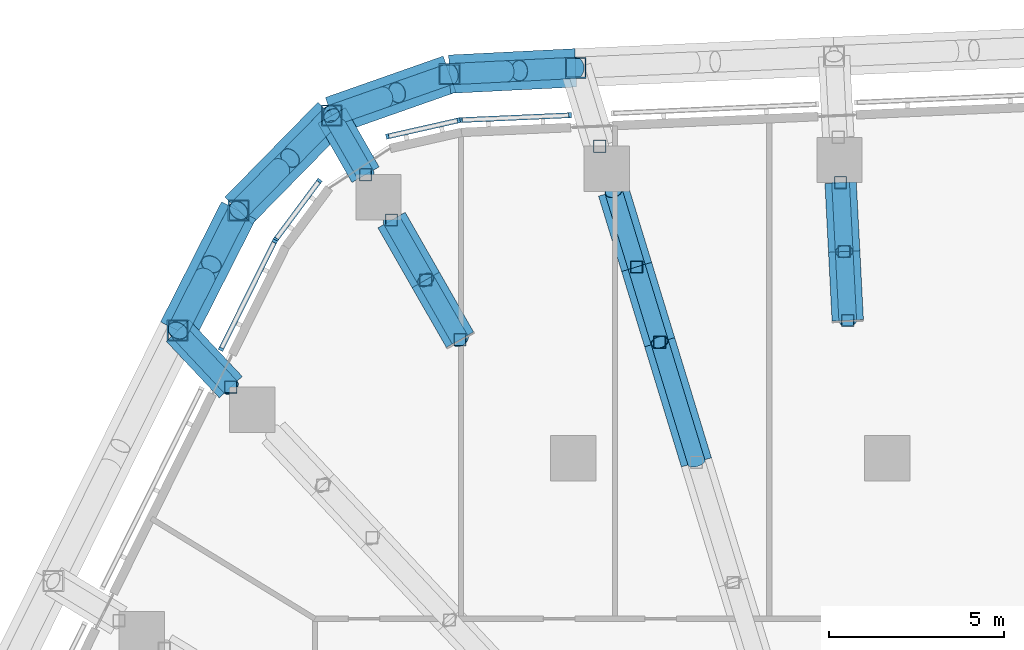
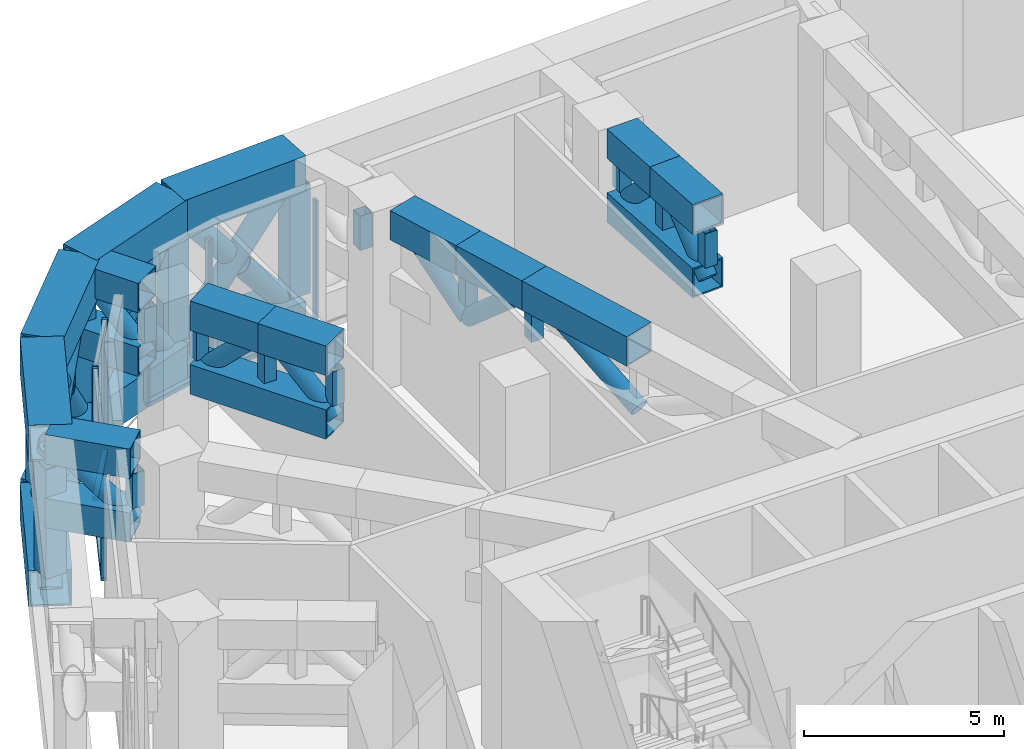
# One storey, part 10 of 30: 70 members, 3 elements without a shape of their own.
"""IFC4 building model written with IfcOpenShell, lengths in metres."""

from ifc_helpers import new_model, si_unit, direction, frame, origin, origin_2d, place, context, subcontext, project, spatial, rectangle, hollow_rectangle, hollow_circle, extrude, material, layer, layer_set, material_profile, profile_set, type_object, element, aggregate, save


model = new_model("IFC4")

# Units and contexts
model_context = context("Model", 3, precision=1e-05, world=origin(), true_north=direction((0.0, 1.0)))
body_context = subcontext(model_context, "Body", "Model", "MODEL_VIEW")
ifc_project = project(units=[si_unit("LENGTHUNIT", "METRE"), si_unit("AREAUNIT", "SQUARE_METRE"), si_unit("VOLUMEUNIT", "CUBIC_METRE"), si_unit("PLANEANGLEUNIT", "RADIAN"), si_unit("MASSUNIT", "GRAM", prefix="KILO")], contexts=[model_context])

# Site, building, storey
site_placement = place(None, origin())
site = spatial("IfcSite", under=ifc_project, at=site_placement, CompositionType="ELEMENT")
building_placement = place(site_placement, origin())
building = spatial("IfcBuilding", under=site, at=building_placement, Name="Dongbaek Canopy Tower", CompositionType="ELEMENT")
storey_placement = place(building_placement, frame((0.0, 0.0, 145.60009765625)))
storey = spatial("IfcBuildingStorey", under=building, at=storey_placement, Name="L32", CompositionType="ELEMENT", Elevation=145.60009765625)

# Members
ifc_material_1 = material(Name="Steel S355", Category="steel")
ifc_material_profile_1 = material_profile(ifc_material_1, hollow_circle(Radius=0.304931640625, WallThickness=0.01611328125, at=origin_2d()), Name="BELT BRACE CHS 610.0x16.0 Steel S355")
ifc_profile_set_1 = profile_set([ifc_material_profile_1], Name="Steel S355")
member_type_1 = type_object("IfcMemberType", Name="BELT BRACE CHS 610.0x16.0 Steel S355", PredefinedType="BRACE", material=ifc_profile_set_1)
member_1_placement = place(storey_placement, frame((-20.330322265625, 21.656494140625, 0.5498046875), z_axis=(0.296333287436, 0.584210568348, 0.755569053487), x_axis=(-0.891830572196, 0.452369572912, 0.0)))
element("IfcMember", 1, at=member_1_placement, inside=storey, type_object=member_type_1, Name="BELT:L32:12:D0:0", PredefinedType="BRACE", context=body_context, shape_type="SweptSolid", body=[
    extrude(hollow_circle(Radius=0.304931640625, WallThickness=0.01611328125, at=origin_2d()), origin(), (0.0, 0.0, 1.0), 5.889892578125),
])
for number, where, z_axis, x_axis, name in (
    (2, (-18.5849609375, 25.097412109375, 0.5498046875), (-0.296378596874, -0.584238971032, 0.755529319115), (0.891811540805, -0.452407090668, 0.0), "BELT:L32:12:D0:1"),
    (3, (-20.330322265625, 21.656494140625, 5.0), (0.296294137096, 0.584255001587, -0.755550049595), (-0.891868559862, 0.452294673781, 0.0), "BELT:L32:12:D0:2"),
):
    element("IfcMember", number, at=place(storey_placement, frame(where, z_axis=z_axis, x_axis=x_axis)), inside=storey, type_object=member_type_1, Name=name, PredefinedType="BRACE", context=body_context, shape_type="SweptSolid", body=[
        extrude(hollow_circle(Radius=0.304931640625, WallThickness=0.01611328125, at=origin_2d()), origin(), (0.0, 0.0, 1.0), 2.63671875),
    ])
member_2_placement = place(storey_placement, frame((-18.5849609375, 25.097412109375, 0.5498046875), z_axis=(0.455389185359, 0.464141860531, 0.759732204899), x_axis=(-0.713805132348, 0.70034436746, 0.0)))
element("IfcMember", 4, at=member_2_placement, inside=storey, type_object=member_type_1, Name="BELT:L32:12:D1:0", PredefinedType="BRACE", context=body_context, shape_type="SweptSolid", body=[
    extrude(hollow_circle(Radius=0.304931640625, WallThickness=0.01611328125, at=origin_2d()), origin(), (0.0, 0.0, 1.0), 5.857666015625),
])
for number, where, z_axis, x_axis, name in (
    (5, (-15.91748046875, 27.816162109375, 0.5498046875), (-0.45538943657, -0.464148717732, 0.75972786502), (0.713810111641, -0.700339292429, 0.0), "BELT:L32:12:D1:1"),
    (6, (-18.5849609375, 25.097412109375, 5.0), (0.45538943657, 0.464148717732, -0.75972786502), (-0.713810111641, 0.700339292429, 0.0), "BELT:L32:12:D1:2"),
):
    element("IfcMember", number, at=place(storey_placement, frame(where, z_axis=z_axis, x_axis=x_axis)), inside=storey, type_object=member_type_1, Name=name, PredefinedType="BRACE", context=body_context, shape_type="SweptSolid", body=[
        extrude(hollow_circle(Radius=0.304931640625, WallThickness=0.01611328125, at=origin_2d()), origin(), (0.0, 0.0, 1.0), 2.619873046875),
    ])
member_3_placement = place(storey_placement, frame((-15.91748046875, 27.816162109375, 0.5498046875), z_axis=(0.591091482685, 0.207720082674, 0.779399272742), x_axis=(-0.331541816396, 0.943440524877, 0.0)))
element("IfcMember", 7, at=member_3_placement, inside=storey, type_object=member_type_1, Name="BELT:L32:13:D0:0", PredefinedType="BRACE", context=body_context, shape_type="SweptSolid", body=[
    extrude(hollow_circle(Radius=0.304931640625, WallThickness=0.01611328125, at=origin_2d()), origin(), (0.0, 0.0, 1.0), 5.709716796875),
])
for number, where, z_axis, x_axis, name in (
    (8, (-12.54248046875, 29.002197265625, 0.5498046875), (-0.59110226279, -0.207692364265, 0.779398483929), (0.331497055873, -0.94345625333, 0.0), "BELT:L32:13:D0:1"),
    (9, (-15.91748046875, 27.816162109375, 5.0), (0.59110226279, 0.207692364265, -0.779398483929), (-0.331497055873, 0.94345625333, 0.0), "BELT:L32:13:D0:2"),
):
    element("IfcMember", number, at=place(storey_placement, frame(where, z_axis=z_axis, x_axis=x_axis)), inside=storey, type_object=member_type_1, Name=name, PredefinedType="BRACE", context=body_context, shape_type="SweptSolid", body=[
        extrude(hollow_circle(Radius=0.304931640625, WallThickness=0.01611328125, at=origin_2d()), origin(), (0.0, 0.0, 1.0), 2.54248046875),
    ])
member_4_placement = place(storey_placement, frame((-12.54248046875, 29.002197265625, 0.5498046875), z_axis=(0.6302426957, 0.031748332162, 0.775748791763), x_axis=(-0.050310977531, 0.998733600887, 0.0)))
element("IfcMember", 10, at=member_4_placement, inside=storey, type_object=member_type_1, Name="BELT:L32:13:D1:0", PredefinedType="BRACE", context=body_context, shape_type="SweptSolid", body=[
    extrude(hollow_circle(Radius=0.304931640625, WallThickness=0.01611328125, at=origin_2d()), origin(), (0.0, 0.0, 1.0), 5.736572265625),
])
for number, where, z_axis, x_axis, name in (
    (11, (-8.927001953125, 29.184326171875, 0.5498046875), (-0.630230604602, -0.031797998687, 0.775756580573), (0.050390447719, -0.998729594424, 0.0), "BELT:L32:13:D1:1"),
    (12, (-12.54248046875, 29.002197265625, 5.0), (0.630232515353, 0.031702605318, -0.775758932535), (-0.050239507566, 0.998737198606, 0.0), "BELT:L32:13:D1:2"),
):
    element("IfcMember", number, at=place(storey_placement, frame(where, z_axis=z_axis, x_axis=x_axis)), inside=storey, type_object=member_type_1, Name=name, PredefinedType="BRACE", context=body_context, shape_type="SweptSolid", body=[
        extrude(hollow_circle(Radius=0.304931640625, WallThickness=0.01611328125, at=origin_2d()), origin(), (0.0, 0.0, 1.0), 2.556640625),
    ])
ifc_material_2 = material(Name="Steel S355", Category="steel")
ifc_material_profile_2 = material_profile(ifc_material_2, hollow_rectangle(XDim=1.10009765625, YDim=1.10009765625, WallThickness=0.054931640625, at=origin_2d()), Name="BELT CHORD BOX 1100x1100x55 Steel S355")
ifc_profile_set_2 = profile_set([ifc_material_profile_2], Name="Steel S355")
member_type_2 = type_object("IfcMemberType", Name="BELT CHORD BOX 1100x1100x55 Steel S355", PredefinedType="CHORD", material=ifc_profile_set_2)
for number, where, z_axis, x_axis, name in (
    (13, (-20.330322265625, 21.656494140625, 0.5498046875), (0.452369572912, 0.891830572196, 0.0), (-0.891830572196, 0.452369572912, 0.0), "BELT:L32:12:CB0"),
    (14, (-20.330322265625, 21.656494140625, 5.0), (0.452369572912, 0.891830572196, 0.0), (-0.891830572196, 0.452369572912, 0.0), "BELT:L32:12:CT0"),
):
    element("IfcMember", number, at=place(storey_placement, frame(where, z_axis=z_axis, x_axis=x_axis)), inside=storey, type_object=member_type_2, Name=name, PredefinedType="CHORD", context=body_context, shape_type="SweptSolid", body=[
        extrude(hollow_rectangle(XDim=1.10009765625, YDim=1.10009765625, WallThickness=0.054931640625, at=origin_2d()), origin(), (0.0, 0.0, 1.0), 3.858154296875),
    ])
for number, where, z_axis, x_axis, name in (
    (15, (-18.5849609375, 25.097412109375, 0.5498046875), (0.70034436746, 0.713805132348, 0.0), (-0.713805132348, 0.70034436746, 0.0), "BELT:L32:12:CB1"),
    (16, (-18.5849609375, 25.097412109375, 5.0), (0.70034436746, 0.713805132348, 0.0), (-0.713805132348, 0.70034436746, 0.0), "BELT:L32:12:CT1"),
):
    element("IfcMember", number, at=place(storey_placement, frame(where, z_axis=z_axis, x_axis=x_axis)), inside=storey, type_object=member_type_2, Name=name, PredefinedType="CHORD", context=body_context, shape_type="SweptSolid", body=[
        extrude(hollow_rectangle(XDim=1.10009765625, YDim=1.10009765625, WallThickness=0.054931640625, at=origin_2d()), origin(), (0.0, 0.0, 1.0), 3.808837890625),
    ])
for number, where, z_axis, x_axis, name in (
    (17, (-15.91748046875, 27.816162109375, 0.5498046875), (0.943440524877, 0.331541816396, 0.0), (-0.331541816396, 0.943440524877, 0.0), "BELT:L32:13:CB0"),
    (18, (-15.91748046875, 27.816162109375, 5.0), (0.943440524877, 0.331541816396, 0.0), (-0.331541816396, 0.943440524877, 0.0), "BELT:L32:13:CT0"),
):
    element("IfcMember", number, at=place(storey_placement, frame(where, z_axis=z_axis, x_axis=x_axis)), inside=storey, type_object=member_type_2, Name=name, PredefinedType="CHORD", context=body_context, shape_type="SweptSolid", body=[
        extrude(hollow_rectangle(XDim=1.10009765625, YDim=1.10009765625, WallThickness=0.054931640625, at=origin_2d()), origin(), (0.0, 0.0, 1.0), 3.577392578125),
    ])
for number, where, z_axis, x_axis, name in (
    (19, (-12.54248046875, 29.002197265625, 0.5498046875), (0.998733600887, 0.050310977531, 0.0), (-0.050310977531, 0.998733600887, 0.0), "BELT:L32:13:CB1"),
    (20, (-12.54248046875, 29.002197265625, 5.0), (0.998733600887, 0.050310977531, 0.0), (-0.050310977531, 0.998733600887, 0.0), "BELT:L32:13:CT1"),
):
    element("IfcMember", number, at=place(storey_placement, frame(where, z_axis=z_axis, x_axis=x_axis)), inside=storey, type_object=member_type_2, Name=name, PredefinedType="CHORD", context=body_context, shape_type="SweptSolid", body=[
        extrude(hollow_rectangle(XDim=1.10009765625, YDim=1.10009765625, WallThickness=0.054931640625, at=origin_2d()), origin(), (0.0, 0.0, 1.0), 3.6201171875),
    ])
ifc_material_3 = material(Name="Steel S355", Category="steel")
ifc_material_profile_3 = material_profile(ifc_material_3, hollow_rectangle(XDim=0.60009765625, YDim=0.60009765625, WallThickness=0.031982421875, at=origin_2d()), Name="BELT POST BOX 600x600x32 Steel S355")
ifc_profile_set_3 = profile_set([ifc_material_profile_3], Name="Steel S355")
member_type_3 = type_object("IfcMemberType", Name="BELT POST BOX 600x600x32 Steel S355", PredefinedType="POST", material=ifc_profile_set_3)
for number, where, z_axis, x_axis, name in (
    (21, (-20.330322265625, 21.656494140625, 1.099853515625), (0.0, 0.0, 1.0), (1.0, 0.0, 0.0), "BELT:L32:12:P0"),
    (22, (-18.5849609375, 25.097412109375, 1.099853515625), (0.0, 0.0, 1.0), (1.0, 0.0, 0.0), "BELT:L32:12:P1"),
    (23, (-15.91748046875, 27.816162109375, 1.099853515625), (0.0, 0.0, 1.0), (1.0, 0.0, 0.0), "BELT:L32:13:P0"),
    (24, (-12.54248046875, 29.002197265625, 1.099853515625), (0.0, 0.0, 1.0), (1.0, 0.0, 0.0), "BELT:L32:13:P1"),
    (25, (-8.927001953125, 29.184326171875, 1.099853515625), (0.0, 0.0, 1.0), (1.0, 0.0, 0.0), "BELT:L32:14:P0"),
):
    element("IfcMember", number, at=place(storey_placement, frame(where, z_axis=z_axis, x_axis=x_axis)), inside=storey, type_object=member_type_3, Name=name, PredefinedType="POST", context=body_context, shape_type="SweptSolid", body=[
        extrude(hollow_rectangle(XDim=0.60009765625, YDim=0.60009765625, WallThickness=0.031982421875, at=origin_2d()), origin(), (0.0, 0.0, 1.0), 3.35009765625),
    ])
ifc_material_4 = material(Name="Steel S355", Category="steel")
ifc_material_profile_4 = material_profile(ifc_material_4, hollow_circle(Radius=0.25390625, WallThickness=0.01611328125, at=origin_2d()), Name="BRACE CHS 508.0x16.0 Steel S355")
ifc_profile_set_4 = profile_set([ifc_material_profile_4], Name="Steel S355")
member_type_4 = type_object("IfcMemberType", Name="BRACE CHS 508.0x16.0 Steel S355", PredefinedType="BRACE", material=ifc_profile_set_4)
member_5_placement = place(storey_placement, frame((-12.2421875, 21.3935546875, 3.14990234375), z_axis=(-0.353429743575, 0.617666415974, 0.702549368326), x_axis=(-0.867953949361, -0.496644683642, 0.0)))
element("IfcMember", 26, at=member_5_placement, inside=storey, type_object=member_type_4, Name="TRUSS:L32:13:D0", PredefinedType="BRACE", context=body_context, shape_type="SweptSolid", body=[
    extrude(hollow_circle(Radius=0.25390625, WallThickness=0.01611328125, at=origin_2d()), origin(), (0.0, 0.0, 1.0), 2.775634765625),
])
for number, where, z_axis, x_axis, name in (
    (27, (-13.22314453125, 23.10791015625, 5.099853515625), (-0.35344894594, 0.617612008323, -0.70258753888), (-0.867923456559, -0.496697970154, 0.0), "TRUSS:L32:13:D1"),
    (28, (-1.134521484375, 21.94921875, 3.14990234375), (-0.036769068067, 0.710663399317, 0.702570685771), (-0.998664215232, -0.051669964348, 0.0), "TRUSS:L32:15:D0"),
    (29, (-1.236572265625, 23.921630859375, 5.099853515625), (-0.036681222288, 0.710665695123, -0.702572955434), (-0.998670586177, -0.051546680831, 0.0), "TRUSS:L32:15:D1"),
):
    element("IfcMember", number, at=place(storey_placement, frame(where, z_axis=z_axis, x_axis=x_axis)), inside=storey, type_object=member_type_4, Name=name, PredefinedType="BRACE", context=body_context, shape_type="SweptSolid", body=[
        extrude(hollow_circle(Radius=0.25390625, WallThickness=0.01611328125, at=origin_2d()), origin(), (0.0, 0.0, 1.0), 2.775390625),
    ])
member_6_placement = place(storey_placement, frame((-18.80908203125, 20.035888671875, 3.14990234375), z_axis=(-0.514483499752, 0.548088825446, 0.659473553606), x_axis=(-0.729105470416, -0.684401353746, 0.0)))
element("IfcMember", 30, at=member_6_placement, inside=storey, type_object=member_type_4, Name="TRUSS:L32:12x:D0", PredefinedType="BRACE", context=body_context, shape_type="SweptSolid", body=[
    extrude(hollow_circle(Radius=0.25390625, WallThickness=0.01611328125, at=origin_2d()), origin(), (0.0, 0.0, 1.0), 2.956787109375),
])
member_7_placement = place(storey_placement, frame((-14.947998046875, 26.1220703125, 3.14990234375), z_axis=(-0.351387405761, 0.614020954061, 0.706756789176), x_axis=(-0.867927381013, -0.496691112552, 0.0)))
element("IfcMember", 31, at=member_7_placement, inside=storey, type_object=member_type_4, Name="TRUSS:L32:13x:D0", PredefinedType="BRACE", context=body_context, shape_type="SweptSolid", body=[
    extrude(hollow_circle(Radius=0.25390625, WallThickness=0.01611328125, at=origin_2d()), origin(), (0.0, 0.0, 1.0), 2.759033203125),
])
ifc_material_5 = material(Name="Steel S355", Category="steel")
ifc_material_profile_5 = material_profile(ifc_material_5, hollow_rectangle(XDim=0.89990234375, YDim=0.89990234375, WallThickness=0.044921875, at=origin_2d()), Name="CHORD BOX 900x900x45 Steel S355")
ifc_profile_set_5 = profile_set([ifc_material_profile_5], Name="Steel S355")
member_type_5 = type_object("IfcMemberType", Name="CHORD BOX 900x900x45 Steel S355", PredefinedType="CHORD", material=ifc_profile_set_5)
member_8_placement = place(storey_placement, frame((-12.2421875, 21.3935546875, 3.14990234375), z_axis=(-0.496671325703, 0.867938704186, 0.0), x_axis=(-0.867938704186, -0.496671325703, 0.0)))
element("IfcMember", 32, at=member_8_placement, inside=storey, type_object=member_type_5, Name="TRUSS:L32:13:CB", PredefinedType="CHORD", context=body_context, shape_type="SweptSolid", body=[
    extrude(hollow_rectangle(XDim=0.89990234375, YDim=0.89990234375, WallThickness=0.044921875, at=origin_2d()), origin(), (0.0, 0.0, 1.0), 3.9501953125),
])
member_9_placement = place(storey_placement, frame((-12.2421875, 21.3935546875, 5.099853515625), z_axis=(-0.496644683642, 0.867953949361, 0.0), x_axis=(-0.867953949361, -0.496644683642, 0.0)))
element("IfcMember", 33, at=member_9_placement, inside=storey, type_object=member_type_5, Name="TRUSS:L32:13:CT0", PredefinedType="CHORD", context=body_context, shape_type="SweptSolid", body=[
    extrude(hollow_rectangle(XDim=0.89990234375, YDim=0.89990234375, WallThickness=0.044921875, at=origin_2d()), origin(), (0.0, 0.0, 1.0), 1.97509765625),
])
member_10_placement = place(storey_placement, frame((-13.22314453125, 23.10791015625, 5.099853515625), z_axis=(-0.496697970154, 0.867923456559, 0.0), x_axis=(-0.867923456559, -0.496697970154, 0.0)))
element("IfcMember", 34, at=member_10_placement, inside=storey, type_object=member_type_5, Name="TRUSS:L32:13:CT1", PredefinedType="CHORD", context=body_context, shape_type="SweptSolid", body=[
    extrude(hollow_rectangle(XDim=0.89990234375, YDim=0.89990234375, WallThickness=0.044921875, at=origin_2d()), origin(), (0.0, 0.0, 1.0), 1.974853515625),
])
member_11_placement = place(storey_placement, frame((-1.134521484375, 21.94921875, 3.14990234375), z_axis=(-0.051608322885, 0.998667402597, 0.0), x_axis=(-0.998667402597, -0.051608322885, 0.0)))
element("IfcMember", 35, at=member_11_placement, inside=storey, type_object=member_type_5, Name="TRUSS:L32:15:CB", PredefinedType="CHORD", context=body_context, shape_type="SweptSolid", body=[
    extrude(hollow_rectangle(XDim=0.89990234375, YDim=0.89990234375, WallThickness=0.044921875, at=origin_2d()), origin(), (0.0, 0.0, 1.0), 3.9501953125),
])
for number, where, z_axis, x_axis, name in (
    (36, (-1.134521484375, 21.94921875, 5.099853515625), (-0.051669964348, 0.998664215232, 0.0), (-0.998664215232, -0.051669964348, 0.0), "TRUSS:L32:15:CT0"),
    (37, (-1.236572265625, 23.921630859375, 5.099853515625), (-0.051546680831, 0.998670586177, 0.0), (-0.998670586177, -0.051546680831, 0.0), "TRUSS:L32:15:CT1"),
):
    element("IfcMember", number, at=place(storey_placement, frame(where, z_axis=z_axis, x_axis=x_axis)), inside=storey, type_object=member_type_5, Name=name, PredefinedType="CHORD", context=body_context, shape_type="SweptSolid", body=[
        extrude(hollow_rectangle(XDim=0.89990234375, YDim=0.89990234375, WallThickness=0.044921875, at=origin_2d()), origin(), (0.0, 0.0, 1.0), 1.97509765625),
    ])
for number, where, z_axis, x_axis, name in (
    (38, (-18.80908203125, 20.035888671875, 3.14990234375), (-0.684401353746, 0.729105470416, 0.0), (-0.729105470416, -0.684401353746, 0.0), "TRUSS:L32:12x:CB"),
    (39, (-18.80908203125, 20.035888671875, 5.099853515625), (-0.684401353746, 0.729105470416, 0.0), (-0.729105470416, -0.684401353746, 0.0), "TRUSS:L32:12x:CT0"),
):
    element("IfcMember", number, at=place(storey_placement, frame(where, z_axis=z_axis, x_axis=x_axis)), inside=storey, type_object=member_type_5, Name=name, PredefinedType="CHORD", context=body_context, shape_type="SweptSolid", body=[
        extrude(hollow_rectangle(XDim=0.89990234375, YDim=0.89990234375, WallThickness=0.044921875, at=origin_2d()), origin(), (0.0, 0.0, 1.0), 2.22265625),
    ])
for number, where, z_axis, x_axis, name in (
    (40, (-14.947998046875, 26.1220703125, 3.14990234375), (-0.496691112552, 0.867927381013, 0.0), (-0.867927381013, -0.496691112552, 0.0), "TRUSS:L32:13x:CB"),
    (41, (-14.947998046875, 26.1220703125, 5.099853515625), (-0.496691112552, 0.867927381013, 0.0), (-0.867927381013, -0.496691112552, 0.0), "TRUSS:L32:13x:CT0"),
):
    element("IfcMember", number, at=place(storey_placement, frame(where, z_axis=z_axis, x_axis=x_axis)), inside=storey, type_object=member_type_5, Name=name, PredefinedType="CHORD", context=body_context, shape_type="SweptSolid", body=[
        extrude(hollow_rectangle(XDim=0.89990234375, YDim=0.89990234375, WallThickness=0.044921875, at=origin_2d()), origin(), (0.0, 0.0, 1.0), 1.951904296875),
    ])

# Curtain wall, members
ifc_material_6 = material(Name="Aluminium 6063-T6 pale anodised", Category="aluminium")
ifc_layer = layer(ifc_material_6, 0.14990234375)
ifc_layer_set = layer_set([ifc_layer], Name="CW-7 louvre curtain wall")
curtain_wall_type = type_object("IfcCurtainWallType", Name="CW-7 louvre curtain wall", PredefinedType="NOTDEFINED", material=ifc_layer_set)
curtain_wall_1_placement = place(storey_placement, origin())
curtain_wall_1 = element("IfcCurtainWall", 42, at=curtain_wall_1_placement, inside=storey, type_object=curtain_wall_type, Name="CW-7 louvre wall L32 F1", PredefinedType="NOTDEFINED")
ifc_material_7 = material(Name="Aluminium 6063-T6 pale anodised", Category="aluminium")
ifc_material_profile_6 = material_profile(ifc_material_7, rectangle(XDim=0.14990234375, YDim=0.080078125, at=origin_2d()), Name="CW-7 mullion 80 x 150")
ifc_profile_set_6 = profile_set([ifc_material_profile_6], Name="Aluminium 6063-T6 pale anodised")
member_type_6 = type_object("IfcMemberType", Name="CW-7 mullion 80 x 150", PredefinedType="MULLION", material=ifc_profile_set_6)
member_12_placement = place(storey_placement, frame((-9.088134765625, 27.825927734375, 0.77490234375), z_axis=(0.0, 0.0, 1.0), x_axis=(-0.044359879696, 0.999015616031, 0.0)))
member_12 = element("IfcMember", 43, at=member_12_placement, type_object=member_type_6, Name="CW-7 mullion L32 F1.4.1", PredefinedType="MULLION", context=body_context, shape_type="SweptSolid", body=[
    extrude(rectangle(XDim=0.14990234375, YDim=0.080078125, at=origin_2d()), origin(), (0.0, 0.0, 1.0), 4.0),
])
member_13_placement = place(storey_placement, frame((-12.21875, 27.686767578125, 0.77490234375), z_axis=(0.0, 0.0, 1.0), x_axis=(-0.044359879696, 0.999015616031, 0.0)))
member_13 = element("IfcMember", 44, at=member_13_placement, type_object=member_type_6, Name="CW-7 mullion L32 F1.4.2", PredefinedType="MULLION", context=body_context, shape_type="SweptSolid", body=[
    extrude(rectangle(XDim=0.14990234375, YDim=0.080078125, at=origin_2d()), origin(), (0.0, 0.0, 1.0), 4.0),
])

curtain_wall_2_placement = place(storey_placement, origin())
curtain_wall_2 = element("IfcCurtainWall", 45, at=curtain_wall_2_placement, inside=storey, type_object=curtain_wall_type, Name="CW-7 louvre wall L32 K2", PredefinedType="NOTDEFINED")
member_14_placement = place(storey_placement, frame((-12.2802734375, 27.6787109375, 0.77490234375), z_axis=(0.0, 0.0, 1.0), x_axis=(-0.220111588824, 0.975474699039, 0.0)))
member_14 = element("IfcMember", 46, at=member_14_placement, type_object=member_type_6, Name="CW-7 mullion L32 K2.1.1", PredefinedType="MULLION", context=body_context, shape_type="SweptSolid", body=[
    extrude(rectangle(XDim=0.14990234375, YDim=0.080078125, at=origin_2d()), origin(), (0.0, 0.0, 1.0), 4.0),
])
member_15_placement = place(storey_placement, frame((-14.321533203125, 27.218017578125, 0.77490234375), z_axis=(0.0, 0.0, 1.0), x_axis=(-0.220111588824, 0.975474699039, 0.0)))
member_15 = element("IfcMember", 47, at=member_15_placement, type_object=member_type_6, Name="CW-7 mullion L32 K2.1.2", PredefinedType="MULLION", context=body_context, shape_type="SweptSolid", body=[
    extrude(rectangle(XDim=0.14990234375, YDim=0.080078125, at=origin_2d()), origin(), (0.0, 0.0, 1.0), 4.0),
])
member_16_placement = place(storey_placement, frame((-16.271728515625, 25.948486328125, 0.77490234375), z_axis=(0.0, 0.0, 1.0), x_axis=(-0.802901375039, 0.596111887116, 0.0)))
member_16 = element("IfcMember", 48, at=member_16_placement, type_object=member_type_6, Name="CW-7 mullion L32 K2.2.1", PredefinedType="MULLION", context=body_context, shape_type="SweptSolid", body=[
    extrude(rectangle(XDim=0.14990234375, YDim=0.080078125, at=origin_2d()), origin(), (0.0, 0.0, 1.0), 4.0),
])
member_17_placement = place(storey_placement, frame((-17.51904296875, 24.268310546875, 0.77490234375), z_axis=(0.0, 0.0, 1.0), x_axis=(-0.802901375039, 0.596111887116, 0.0)))
member_17 = element("IfcMember", 49, at=member_17_placement, type_object=member_type_6, Name="CW-7 mullion L32 K2.2.2", PredefinedType="MULLION", context=body_context, shape_type="SweptSolid", body=[
    extrude(rectangle(XDim=0.14990234375, YDim=0.080078125, at=origin_2d()), origin(), (0.0, 0.0, 1.0), 4.0),
])

curtain_wall_3_placement = place(storey_placement, origin())
curtain_wall_3 = element("IfcCurtainWall", 50, at=curtain_wall_3_placement, inside=storey, type_object=curtain_wall_type, Name="CW-7 louvre wall L32 F2", PredefinedType="NOTDEFINED")
member_18_placement = place(storey_placement, frame((-17.551513671875, 24.21533203125, 0.77490234375), z_axis=(0.0, 0.0, 1.0), x_axis=(-0.895565680556, 0.444929333502, 0.0)))
member_18 = element("IfcMember", 51, at=member_18_placement, type_object=member_type_6, Name="CW-7 mullion L32 F2.1.1", PredefinedType="MULLION", context=body_context, shape_type="SweptSolid", body=[
    extrude(rectangle(XDim=0.14990234375, YDim=0.080078125, at=origin_2d()), origin(), (0.0, 0.0, 1.0), 4.0),
])
member_19_placement = place(storey_placement, frame((-19.08740234375, 21.1240234375, 0.77490234375), z_axis=(0.0, 0.0, 1.0), x_axis=(-0.895565680556, 0.444929333502, 0.0)))
member_19 = element("IfcMember", 52, at=member_19_placement, type_object=member_type_6, Name="CW-7 mullion L32 F2.1.2", PredefinedType="MULLION", context=body_context, shape_type="SweptSolid", body=[
    extrude(rectangle(XDim=0.14990234375, YDim=0.080078125, at=origin_2d()), origin(), (0.0, 0.0, 1.0), 4.0),
])

# Member
ifc_material_8 = material(Name="Aluminium 6063-T6 pale anodised", Category="aluminium")
ifc_material_profile_7 = material_profile(ifc_material_8, rectangle(XDim=0.14990234375, YDim=0.1201171875, at=origin_2d()), Name="CW-7 transom 120 x 150")
ifc_profile_set_7 = profile_set([ifc_material_profile_7], Name="Aluminium 6063-T6 pale anodised")
member_type_7 = type_object("IfcMemberType", Name="CW-7 transom 120 x 150", PredefinedType="USERDEFINED", material=ifc_profile_set_7)
member_20_placement = place(storey_placement, frame((-9.088134765625, 27.825927734375, 0.71484375), z_axis=(-0.999013499265, -0.044407525117, 0.0), x_axis=(0.044407525117, -0.999013499265, 0.0)))
member_20 = element("IfcMember", 53, at=member_20_placement, type_object=member_type_7, Name="CW-7 transom L32 F1.4", ObjectType="TRANSOM", PredefinedType="USERDEFINED", context=body_context, shape_type="SweptSolid", body=[
    extrude(rectangle(XDim=0.14990234375, YDim=0.1201171875, at=origin_2d()), origin(), (0.0, 0.0, 1.0), 3.1337890625),
])

aggregate(curtain_wall_1, [member_20, member_12, member_13])

member_21_placement = place(storey_placement, frame((-12.2802734375, 27.6787109375, 0.71484375), z_axis=(-0.975465253957, -0.220153442676, 0.0), x_axis=(0.220153442676, -0.975465253957, 0.0)))
member_21 = element("IfcMember", 54, at=member_21_placement, type_object=member_type_7, Name="CW-7 transom L32 K2.1", ObjectType="TRANSOM", PredefinedType="USERDEFINED", context=body_context, shape_type="SweptSolid", body=[
    extrude(rectangle(XDim=0.14990234375, YDim=0.1201171875, at=origin_2d()), origin(), (0.0, 0.0, 1.0), 2.092529296875),
])

member_22_placement = place(storey_placement, frame((-16.271728515625, 25.948486328125, 0.71484375), z_axis=(-0.596072647465, -0.80293050692, 0.0), x_axis=(0.80293050692, -0.596072647465, 0.0)))
member_22 = element("IfcMember", 55, at=member_22_placement, type_object=member_type_7, Name="CW-7 transom L32 K2.2", ObjectType="TRANSOM", PredefinedType="USERDEFINED", context=body_context, shape_type="SweptSolid", body=[
    extrude(rectangle(XDim=0.14990234375, YDim=0.1201171875, at=origin_2d()), origin(), (0.0, 0.0, 1.0), 2.092529296875),
])

aggregate(curtain_wall_2, [member_21, member_14, member_15, member_22, member_16, member_17])

member_23_placement = place(storey_placement, frame((-17.551513671875, 24.21533203125, 0.71484375), z_axis=(-0.44494887268, -0.895555972958, 0.0), x_axis=(0.895555972958, -0.44494887268, 0.0)))
member_23 = element("IfcMember", 56, at=member_23_placement, type_object=member_type_7, Name="CW-7 transom L32 F2.1", ObjectType="TRANSOM", PredefinedType="USERDEFINED", context=body_context, shape_type="SweptSolid", body=[
    extrude(rectangle(XDim=0.14990234375, YDim=0.1201171875, at=origin_2d()), origin(), (0.0, 0.0, 1.0), 3.451904296875),
])

aggregate(curtain_wall_3, [member_23, member_18, member_19])

# Members
ifc_material_9 = material(Name="Steel S355", Category="steel")
ifc_material_profile_8 = material_profile(ifc_material_9, hollow_circle(Radius=0.25390625, WallThickness=0.01611328125, at=origin_2d()), Name="OUTRIGGER BRACE CHS 508.0x16.0 Steel S355")
ifc_profile_set_8 = profile_set([ifc_material_profile_8], Name="Steel S355")
member_type_8 = type_object("IfcMemberType", Name="OUTRIGGER BRACE CHS 508.0x16.0 Steel S355", PredefinedType="BRACE", material=ifc_profile_set_8)
member_24_placement = place(storey_placement, frame((-5.4697265625, 17.8818359375, 3.14990234375), z_axis=(-0.25715169083, 0.840768518266, 0.476425551997), x_axis=(-0.956272008352, -0.292478795885, 0.0)))
element("IfcMember", 57, at=member_24_placement, inside=storey, type_object=member_type_8, Name="TRUSS:L32:14:D2", PredefinedType="BRACE", context=body_context, shape_type="SweptSolid", body=[
    extrude(hollow_circle(Radius=0.25390625, WallThickness=0.01611328125, at=origin_2d()), origin(), (0.0, 0.0, 1.0), 4.0927734375),
])
member_25_placement = place(storey_placement, frame((-6.522216796875, 21.322998046875, 5.099853515625), z_axis=(-0.221296635099, 0.723491810717, -0.653901673893), x_axis=(-0.95626668728, -0.292496192794, 0.0)))
element("IfcMember", 58, at=member_25_placement, inside=storey, type_object=member_type_8, Name="TRUSS:L32:14:D3", PredefinedType="BRACE", context=body_context, shape_type="SweptSolid", body=[
    extrude(hollow_circle(Radius=0.25390625, WallThickness=0.01611328125, at=origin_2d()), origin(), (0.0, 0.0, 1.0), 2.98193359375),
])
member_26_placement = place(storey_placement, frame((-7.18212890625, 23.48046875, 3.14990234375), z_axis=(-0.221374494341, 0.723478700625, 0.653889824815), x_axis=(-0.956236415837, -0.292595141838, 0.0)))
element("IfcMember", 59, at=member_26_placement, inside=storey, type_object=member_type_8, Name="TRUSS:L32:14:D4", PredefinedType="BRACE", context=body_context, shape_type="SweptSolid", body=[
    extrude(hollow_circle(Radius=0.25390625, WallThickness=0.01611328125, at=origin_2d()), origin(), (0.0, 0.0, 1.0), 2.982177734375),
])
ifc_material_10 = material(Name="Steel S355", Category="steel")
ifc_material_profile_9 = material_profile(ifc_material_10, hollow_rectangle(XDim=0.89990234375, YDim=0.89990234375, WallThickness=0.044921875, at=origin_2d()), Name="OUTRIGGER CHORD BOX 900x900x45 Steel S355")
ifc_profile_set_9 = profile_set([ifc_material_profile_9], Name="Steel S355")
member_type_9 = type_object("IfcMemberType", Name="OUTRIGGER CHORD BOX 900x900x45 Steel S355", PredefinedType="CHORD", material=ifc_profile_set_9)
member_27_placement = place(storey_placement, frame((-5.4697265625, 17.8818359375, 5.099853515625), z_axis=(-0.292478795885, 0.956272008352, 0.0), x_axis=(-0.956272008352, -0.292478795885, 0.0)))
element("IfcMember", 60, at=member_27_placement, inside=storey, type_object=member_type_9, Name="TRUSS:L32:14:CT2", PredefinedType="CHORD", context=body_context, shape_type="SweptSolid", body=[
    extrude(hollow_rectangle(XDim=0.89990234375, YDim=0.89990234375, WallThickness=0.044921875, at=origin_2d()), origin(), (0.0, 0.0, 1.0), 3.5986328125),
])
for number, where, z_axis, x_axis, name in (
    (61, (-6.522216796875, 21.322998046875, 5.099853515625), (-0.292496192794, 0.95626668728, 0.0), (-0.95626668728, -0.292496192794, 0.0), "TRUSS:L32:14:CT3"),
    (62, (-7.18212890625, 23.48046875, 5.099853515625), (-0.292595141838, 0.956236415837, 0.0), (-0.956236415837, -0.292595141838, 0.0), "TRUSS:L32:14:CT4"),
):
    element("IfcMember", number, at=place(storey_placement, frame(where, z_axis=z_axis, x_axis=x_axis)), inside=storey, type_object=member_type_9, Name=name, PredefinedType="CHORD", context=body_context, shape_type="SweptSolid", body=[
        extrude(hollow_rectangle(XDim=0.89990234375, YDim=0.89990234375, WallThickness=0.044921875, at=origin_2d()), origin(), (0.0, 0.0, 1.0), 2.256103515625),
    ])
ifc_material_11 = material(Name="Steel S355", Category="steel")
ifc_material_profile_10 = material_profile(ifc_material_11, hollow_rectangle(XDim=0.35009765625, YDim=0.35009765625, WallThickness=0.01611328125, at=origin_2d()), Name="OUTRIGGER POST SHS 350x350x16 Steel S355")
ifc_profile_set_10 = profile_set([ifc_material_profile_10], Name="Steel S355")
member_type_10 = type_object("IfcMemberType", Name="OUTRIGGER POST SHS 350x350x16 Steel S355", PredefinedType="POST", material=ifc_profile_set_10)
for number, where, z_axis, x_axis, name in (
    (63, (-6.522216796875, 21.322998046875, 3.599853515625), (0.0, 0.0, 1.0), (1.0, 0.0, 0.0), "TRUSS:L32:14:P3"),
    (64, (-7.18212890625, 23.48046875, 3.599853515625), (0.0, 0.0, 1.0), (1.0, 0.0, 0.0), "TRUSS:L32:14:P4"),
):
    element("IfcMember", number, at=place(storey_placement, frame(where, z_axis=z_axis, x_axis=x_axis)), inside=storey, type_object=member_type_10, Name=name, PredefinedType="POST", context=body_context, shape_type="SweptSolid", body=[
        extrude(hollow_rectangle(XDim=0.35009765625, YDim=0.35009765625, WallThickness=0.01611328125, at=origin_2d()), origin(), (0.0, 0.0, 1.0), 1.050048828125),
    ])
ifc_material_12 = material(Name="Steel S355", Category="steel")
ifc_material_profile_11 = material_profile(ifc_material_12, hollow_rectangle(XDim=0.35009765625, YDim=0.35009765625, WallThickness=0.01611328125, at=origin_2d()), Name="POST SHS 350x350x16 Steel S355")
ifc_profile_set_11 = profile_set([ifc_material_profile_11], Name="Steel S355")
member_type_11 = type_object("IfcMemberType", Name="POST SHS 350x350x16 Steel S355", PredefinedType="POST", material=ifc_profile_set_11)
for number, where, z_axis, x_axis, name in (
    (65, (-12.2421875, 21.3935546875, 3.599853515625), (0.0, 0.0, 1.0), (1.0, 0.0, 0.0), "TRUSS:L32:13:P0"),
    (66, (-13.22314453125, 23.10791015625, 3.599853515625), (0.0, 0.0, 1.0), (1.0, 0.0, 0.0), "TRUSS:L32:13:P1"),
    (67, (-14.2041015625, 24.822021484375, 3.599853515625), (0.0, 0.0, 1.0), (1.0, 0.0, 0.0), "TRUSS:L32:13:P2"),
    (68, (-1.134521484375, 21.94921875, 3.599853515625), (0.0, 0.0, 1.0), (1.0, 0.0, 0.0), "TRUSS:L32:15:P0"),
    (69, (-1.236572265625, 23.921630859375, 3.599853515625), (0.0, 0.0, 1.0), (1.0, 0.0, 0.0), "TRUSS:L32:15:P1"),
    (70, (-1.33837890625, 25.89404296875, 3.599853515625), (0.0, 0.0, 1.0), (1.0, 0.0, 0.0), "TRUSS:L32:15:P2"),
    (71, (-18.80908203125, 20.035888671875, 3.599853515625), (0.0, 0.0, 1.0), (1.0, 0.0, 0.0), "TRUSS:L32:12x:P0"),
    (72, (-14.947998046875, 26.1220703125, 3.599853515625), (0.0, 0.0, 1.0), (1.0, 0.0, 0.0), "TRUSS:L32:13x:P0"),
    (73, (-8.23974609375, 26.93798828125, 3.599853515625), (0.0, 0.0, 1.0), (1.0, 0.0, 0.0), "TRUSS:L32:14x:P0"),
):
    element("IfcMember", number, at=place(storey_placement, frame(where, z_axis=z_axis, x_axis=x_axis)), inside=storey, type_object=member_type_11, Name=name, PredefinedType="POST", context=body_context, shape_type="SweptSolid", body=[
        extrude(hollow_rectangle(XDim=0.35009765625, YDim=0.35009765625, WallThickness=0.01611328125, at=origin_2d()), origin(), (0.0, 0.0, 1.0), 1.050048828125),
    ])

save(model, "model.ifc")
